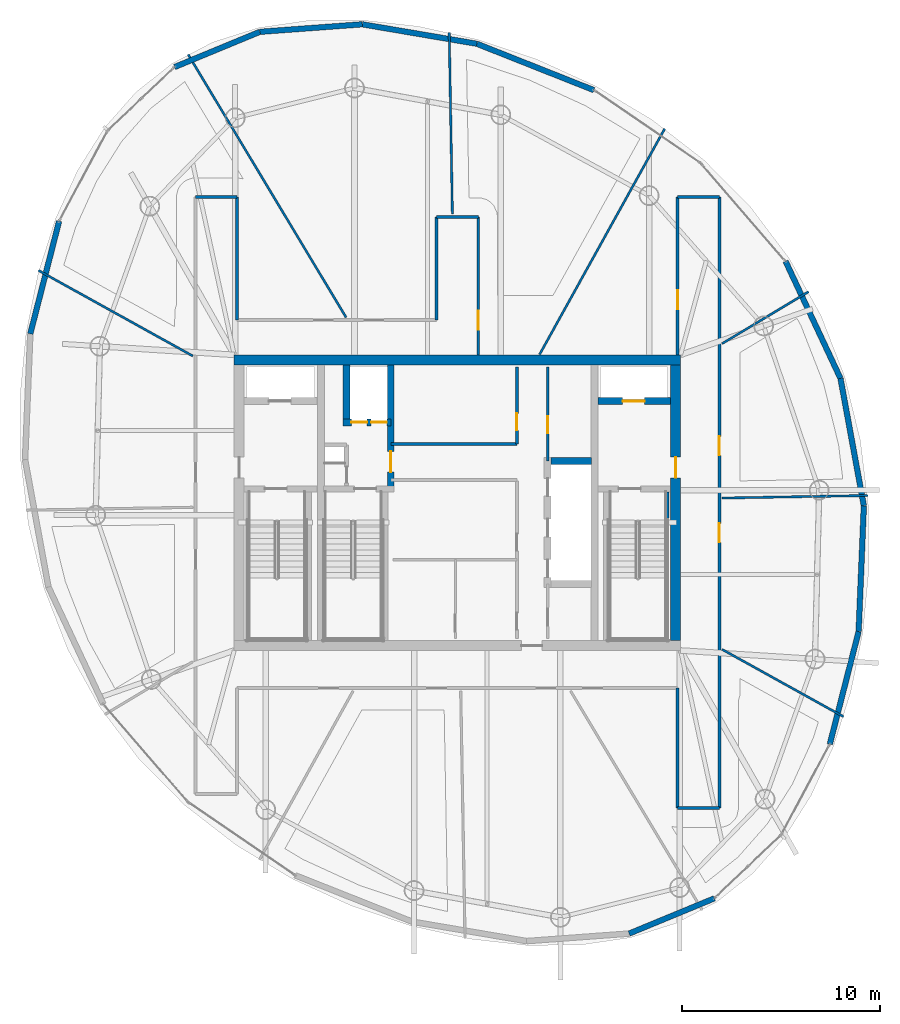
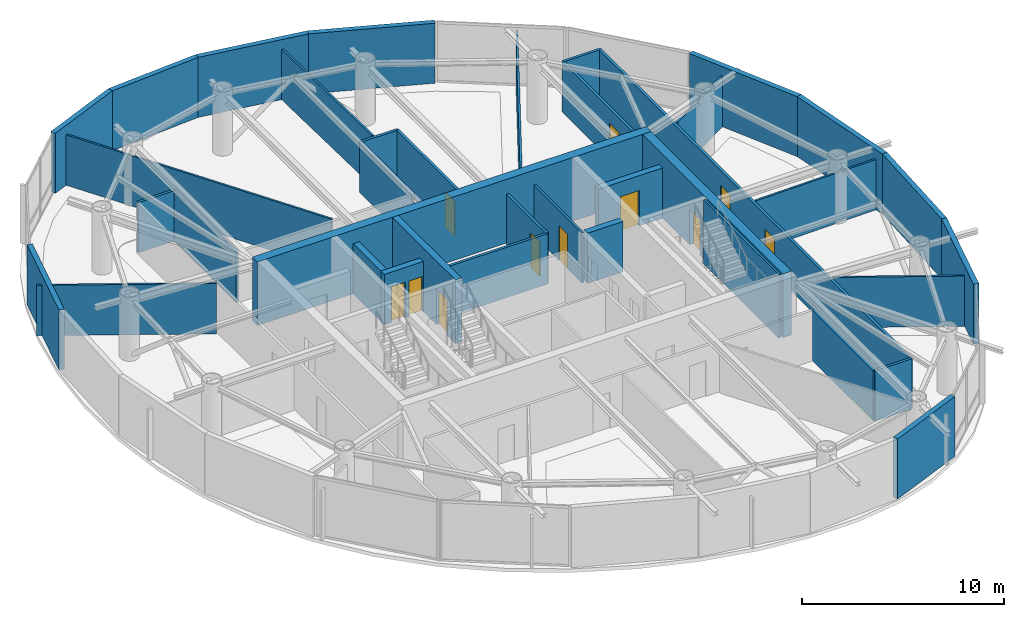
# One storey, part 12 of 16: 38 walls, 11 doors, 11 openings.
"""IFC4 building model written with IfcOpenShell, lengths in metres."""

from ifc_helpers import new_model, si_unit, direction, frame, frame_2d, origin, place, context, subcontext, project, spatial, rectangle, extrude, material, layer, layer_set, type_object, element, fill, save


model = new_model("IFC4")

# Units and contexts
model_context = context("Model", 3, precision=1e-05, world=origin(), true_north=direction((0.0, 1.0)))
body_context = subcontext(model_context, "Body", "Model", "MODEL_VIEW")
ifc_project = project(units=[si_unit("LENGTHUNIT", "METRE"), si_unit("AREAUNIT", "SQUARE_METRE"), si_unit("VOLUMEUNIT", "CUBIC_METRE"), si_unit("PLANEANGLEUNIT", "RADIAN"), si_unit("MASSUNIT", "GRAM", prefix="KILO")], contexts=[model_context])

# Site, building, storey
site_placement = place(None, origin())
site = spatial("IfcSite", under=ifc_project, at=site_placement, CompositionType="ELEMENT")
building_placement = place(site_placement, origin())
building = spatial("IfcBuilding", under=site, at=building_placement, Name="Bramvorn Convention Spire", CompositionType="ELEMENT")
storey_placement = place(building_placement, frame((0.0, 0.0, 261.300048828125)))
storey = spatial("IfcBuildingStorey", under=building, at=storey_placement, Name="L66", CompositionType="ELEMENT", Elevation=261.300048828125)

# Wall
ifc_material_1 = material(Name="Concrete C50/60", Category="concrete")
ifc_layer_1 = layer(ifc_material_1, 0.5)
ifc_layer_set_1 = layer_set([ifc_layer_1], Name="Concrete C50/60 - WL-CORE-500")
wall_type_1 = type_object("IfcWallType", Name="WL-CORE-500", PredefinedType="SHEAR", material=ifc_layer_set_1)
wall_1_placement = place(storey_placement, frame((26.75, 33.199951171875, 0.0), z_axis=(0.0, 0.0, 1.0), x_axis=(1.0, 0.0, 0.0)))
element("IfcWall", 1, at=wall_1_placement, inside=storey, type_object=wall_type_1, Name="L66 North RC core shear wall", PredefinedType="SHEAR", context=body_context, shape_type="SweptSolid", body=[
    extrude(rectangle(XDim=22.5, YDim=0.5, at=frame_2d((11.25, 0.0))), origin(), (0.0, 0.0, 1.0), 3.849853515625),
])

# Wall, opening, door
wall_2_placement = place(storey_placement, frame((49.0, 19.050048828125, 0.0), z_axis=(0.0, 0.0, 1.0), x_axis=(0.0, 1.0, 0.0)))
wall_2 = element("IfcWall", 2, at=wall_2_placement, inside=storey, type_object=wall_type_1, Name="L66 East RC core shear wall", PredefinedType="SHEAR", context=body_context, shape_type="SweptSolid", body=[
    extrude(rectangle(XDim=13.89990234375, YDim=0.5, at=frame_2d((6.949951171875, 0.0))), origin(), (0.0, 0.0, 1.0), 3.849853515625),
])
opening_1_placement = place(wall_2_placement, frame((8.199951171875, 0.0, 0.0)))
opening_1 = element("IfcOpeningElement", 3, at=opening_1_placement, cuts=wall_2, Name="Opening DL-105", PredefinedType="OPENING", context=body_context, shape_type="SweptSolid", body=[
    extrude(rectangle(XDim=1.050048828125, YDim=2.14990234375, at=frame_2d((0.52490234375, 1.074951171875))), frame((0.0, 0.260009765625, 0.0), z_axis=(0.0, -1.0, 0.0), x_axis=(1.0, 0.0, 0.0)), (0.0, 0.0, 1.0), 0.52001953125),
])
ifc_material_2 = material(Name="Smoke-Sealed Fire Lobby Timber-Core Door", Category="wood")
door_type_1 = type_object("IfcDoorType", Name="DR-LOBBY-1050", OperationType="NOTDEFINED", PredefinedType="DOOR", material=ifc_material_2)
door_1_placement = place(opening_1_placement, origin())
door_1 = element("IfcDoor", 4, at=door_1_placement, inside=storey, type_object=door_type_1, Name="L66 East Firefighting Lobby corridor door", OperationType="SINGLE_SWING_LEFT", OverallHeight=2.14990234375, OverallWidth=1.050048828125, PredefinedType="DOOR", context=body_context, shape_type="SweptSolid", body=[
    extrude(rectangle(XDim=1.050048828125, YDim=2.14990234375, at=frame_2d((0.52490234375, 1.074951171875))), frame((0.0, 0.02490234375, 0.0), z_axis=(0.0, -1.0, 0.0), x_axis=(1.0, 0.0, 0.0)), (0.0, 0.0, 1.0), 0.050048828125),
])
fill(opening_1, door_1)

ifc_layer_2 = layer(ifc_material_1, 0.35009765625)
ifc_layer_set_2 = layer_set([ifc_layer_2], Name="Concrete C50/60 - WL-CORE-INT-350")
wall_type_2 = type_object("IfcWallType", Name="WL-CORE-INT-350", PredefinedType="SHEAR", material=ifc_layer_set_2)
wall_3_placement = place(storey_placement, frame((45.080078125, 31.1201171875, 0.0), z_axis=(0.0, 0.0, 1.0), x_axis=(1.0, 0.0, 0.0)))
wall_3 = element("IfcWall", 5, at=wall_3_placement, inside=storey, type_object=wall_type_2, Name="L66 FE2 shaft front wall", PredefinedType="SHEAR", context=body_context, shape_type="SweptSolid", body=[
    extrude(rectangle(XDim=3.669921875, YDim=0.35009765625, at=frame_2d((1.8349609375, 0.0))), origin(), (0.0, 0.0, 1.0), 3.0400390625),
])
opening_2_placement = place(wall_3_placement, frame((1.25, 0.0, 0.0)))
opening_2 = element("IfcOpeningElement", 6, at=opening_2_placement, cuts=wall_3, Name="Opening LD-110", PredefinedType="OPENING", context=body_context, shape_type="SweptSolid", body=[
    extrude(rectangle(XDim=1.10009765625, YDim=2.14990234375, at=frame_2d((0.550048828125, 1.074951171875))), frame((0.0, 0.18505859375, 0.0), z_axis=(0.0, -1.0, 0.0), x_axis=(1.0, 0.0, 0.0)), (0.0, 0.0, 1.0), 0.3701171875),
])
ifc_material_3 = material(Name="Firefighting & Service Lift Sliding Landing Door", Category="steel")
door_type_2 = type_object("IfcDoorType", Name="DR-LIFT-LD-1100", OperationType="NOTDEFINED", PredefinedType="DOOR", material=ifc_material_3)
door_2_placement = place(opening_2_placement, origin())
door_2 = element("IfcDoor", 7, at=door_2_placement, inside=storey, type_object=door_type_2, Name="L66 Lift FE2 Sliding Landing Door", OperationType="SLIDING_TO_LEFT", OverallHeight=2.14990234375, OverallWidth=1.10009765625, PredefinedType="DOOR", context=body_context, shape_type="SweptSolid", body=[
    extrude(rectangle(XDim=1.10009765625, YDim=2.14990234375, at=frame_2d((0.550048828125, 1.074951171875))), frame((0.0, 0.02490234375, 0.0), z_axis=(0.0, -1.0, 0.0), x_axis=(1.0, 0.0, 0.0)), (0.0, 0.0, 1.0), 0.050048828125),
])
fill(opening_2, door_2)

wall_4_placement = place(storey_placement, frame((34.639892578125, 26.68994140625, 0.0), z_axis=(0.0, 0.0, 1.0), x_axis=(0.0, 1.0, 0.0)))
wall_4 = element("IfcWall", 8, at=wall_4_placement, inside=storey, type_object=wall_type_2, Name="L66 SV east core shaft wall", PredefinedType="SHEAR", context=body_context, shape_type="SweptSolid", body=[
    extrude(rectangle(XDim=6.260009765625, YDim=0.35009765625, at=frame_2d((3.1298828125, 0.0))), origin(), (0.0, 0.0, 1.0), 3.849853515625),
])
opening_3_placement = place(wall_4_placement, frame((0.85009765625, 0.0, 0.0)))
opening_3 = element("IfcOpeningElement", 9, at=opening_3_placement, cuts=wall_4, Name="Opening DL-105", PredefinedType="OPENING", context=body_context, shape_type="SweptSolid", body=[
    extrude(rectangle(XDim=1.050048828125, YDim=2.14990234375, at=frame_2d((0.52490234375, 1.074951171875))), frame((0.0, 0.18505859375, 0.0), z_axis=(0.0, -1.0, 0.0), x_axis=(1.0, 0.0, 0.0)), (0.0, 0.0, 1.0), 0.3701171875),
])
door_3_placement = place(opening_3_placement, origin())
door_3 = element("IfcDoor", 10, at=door_3_placement, inside=storey, type_object=door_type_1, Name="L66 Core cross-passage door", OperationType="SINGLE_SWING_RIGHT", OverallHeight=2.14990234375, OverallWidth=1.050048828125, PredefinedType="DOOR", context=body_context, shape_type="SweptSolid", body=[
    extrude(rectangle(XDim=1.050048828125, YDim=2.14990234375, at=frame_2d((0.52490234375, 1.074951171875))), frame((0.0, 0.02490234375, 0.0), z_axis=(0.0, -1.0, 0.0), x_axis=(1.0, 0.0, 0.0)), (0.0, 0.0, 1.0), 0.050048828125),
])
fill(opening_3, door_3)

# Wall, openings, doors
wall_5_placement = place(storey_placement, frame((32.22998046875, 30.050048828125, 0.0), z_axis=(0.0, 0.0, 1.0), x_axis=(1.0, 0.0, 0.0)))
wall_5 = element("IfcWall", 11, at=wall_5_placement, inside=storey, type_object=wall_type_2, Name="L66 SV1/SV2 shaft front wall", PredefinedType="SHEAR", context=body_context, shape_type="SweptSolid", body=[
    extrude(rectangle(XDim=2.409912109375, YDim=0.35009765625, at=frame_2d((1.205078125, 0.0))), origin(), (0.0, 0.0, 1.0), 3.0400390625),
])
opening_4_placement = place(wall_5_placement, frame((0.419921875, 0.0, 0.0)))
opening_4 = element("IfcOpeningElement", 12, at=opening_4_placement, cuts=wall_5, Name="Opening LD-080", PredefinedType="OPENING", context=body_context, shape_type="SweptSolid", body=[
    extrude(rectangle(XDim=0.800048828125, YDim=2.14990234375, at=frame_2d((0.39990234375, 1.074951171875))), frame((0.0, 0.18505859375, 0.0), z_axis=(0.0, -1.0, 0.0), x_axis=(1.0, 0.0, 0.0)), (0.0, 0.0, 1.0), 0.3701171875),
])
opening_5_placement = place(wall_5_placement, frame((1.419921875, 0.0, 0.0)))
opening_5 = element("IfcOpeningElement", 13, at=opening_5_placement, cuts=wall_5, Name="Opening LD-080", PredefinedType="OPENING", context=body_context, shape_type="SweptSolid", body=[
    extrude(rectangle(XDim=0.800048828125, YDim=2.14990234375, at=frame_2d((0.39990234375, 1.074951171875))), frame((0.0, 0.18505859375, 0.0), z_axis=(0.0, -1.0, 0.0), x_axis=(1.0, 0.0, 0.0)), (0.0, 0.0, 1.0), 0.3701171875),
])
ifc_material_4 = material(Name="Service Lift Bi-Parting Landing Door", Category="steel")
door_type_3 = type_object("IfcDoorType", Name="DR-LIFT-LD-800", OperationType="NOTDEFINED", PredefinedType="DOOR", material=ifc_material_4)
door_4_placement = place(opening_4_placement, origin())
door_4 = element("IfcDoor", 14, at=door_4_placement, inside=storey, type_object=door_type_3, Name="L66 Lift SV1 Sliding Landing Door", OperationType="SLIDING_TO_LEFT", OverallHeight=2.14990234375, OverallWidth=0.800048828125, PredefinedType="DOOR", context=body_context, shape_type="SweptSolid", body=[
    extrude(rectangle(XDim=0.800048828125, YDim=2.14990234375, at=frame_2d((0.39990234375, 1.074951171875))), frame((0.0, 0.02490234375, 0.0), z_axis=(0.0, -1.0, 0.0), x_axis=(1.0, 0.0, 0.0)), (0.0, 0.0, 1.0), 0.050048828125),
])
fill(opening_4, door_4)
door_5_placement = place(opening_5_placement, origin())
door_5 = element("IfcDoor", 15, at=door_5_placement, inside=storey, type_object=door_type_3, Name="L66 Lift SV2 Sliding Landing Door", OperationType="SLIDING_TO_LEFT", OverallHeight=2.14990234375, OverallWidth=0.800048828125, PredefinedType="DOOR", context=body_context, shape_type="SweptSolid", body=[
    extrude(rectangle(XDim=0.800048828125, YDim=2.14990234375, at=frame_2d((0.39990234375, 1.074951171875))), frame((0.0, 0.02490234375, 0.0), z_axis=(0.0, -1.0, 0.0), x_axis=(1.0, 0.0, 0.0)), (0.0, 0.0, 1.0), 0.050048828125),
])
fill(opening_5, door_5)

# Walls
wall_6_placement = place(storey_placement, frame((32.39990234375, 30.219970703125, 0.0), z_axis=(0.0, 0.0, 1.0), x_axis=(0.0, 1.0, 0.0)))
element("IfcWall", 16, at=wall_6_placement, inside=storey, type_object=wall_type_2, Name="L66 SV1 west hoistway wall", PredefinedType="SHEAR", context=body_context, shape_type="SweptSolid", body=[
    extrude(rectangle(XDim=2.72998046875, YDim=0.35009765625, at=frame_2d((1.364990234375, 0.0))), origin(), (0.0, 0.0, 1.0), 3.0400390625),
])
wall_7_placement = place(storey_placement, frame((42.719970703125, 28.10009765625, 0.0), z_axis=(0.0, 0.0, 1.0), x_axis=(1.0, 0.0, 0.0)))
element("IfcWall", 17, at=wall_7_placement, inside=storey, type_object=wall_type_2, Name="L66 High-rise lift bank north wall", PredefinedType="SHEAR", context=body_context, shape_type="SweptSolid", body=[
    extrude(rectangle(XDim=2.030029296875, YDim=0.35009765625, at=frame_2d((1.01513671875, 0.0))), origin(), (0.0, 0.0, 1.0), 3.0400390625),
])
ifc_material_5 = material(Name="Precast Concrete C40/50 with Bronze Terracotta Rainscreen", Category="masonry")
ifc_layer_3 = layer(ifc_material_5, 0.300048828125)
ifc_layer_set_3 = layer_set([ifc_layer_3], Name="Precast Concrete C40/50 with Bronze Terracotta Rainscreen - WL-EXT-BRONZE-300")
wall_type_3 = type_object("IfcWallType", Name="WL-EXT-BRONZE-300", PredefinedType="SOLIDWALL", material=ifc_layer_set_3)
wall_8_placement = place(storey_placement, frame((58.222412109375, 19.502197265625, 0.0), z_axis=(0.0, 0.0, 1.0), x_axis=(-0.247972381677, -0.968767102004, 0.0)))
element("IfcWall", 18, at=wall_8_placement, inside=storey, type_object=wall_type_3, Name="L66 expressed bronze Gothic lancet pier wall 03", PredefinedType="SOLIDWALL", context=body_context, shape_type="SweptSolid", body=[
    extrude(rectangle(XDim=5.860107421875, YDim=0.280029296875, at=frame_2d((2.93017578125, 0.0))), origin(), (0.0, 0.0, 1.0), 3.625),
])
wall_9_placement = place(storey_placement, frame((58.48583984375, 25.841796875, 0.0), z_axis=(0.0, 0.0, 1.0), x_axis=(-0.041516913296, -0.999137801262, 0.0)))
element("IfcWall", 19, at=wall_9_placement, inside=storey, type_object=wall_type_3, Name="L66 expressed bronze Gothic lancet pier wall 04", PredefinedType="SOLIDWALL", context=body_context, shape_type="SweptSolid", body=[
    extrude(rectangle(XDim=6.344970703125, YDim=0.280029296875, at=frame_2d((3.17236328125, 0.0))), origin(), (0.0, 0.0, 1.0), 3.625),
])
wall_10_placement = place(storey_placement, frame((57.30859375, 32.260986328125, 0.0), z_axis=(0.0, 0.0, 1.0), x_axis=(0.180386379847, -0.983595828562, 0.0)))
element("IfcWall", 20, at=wall_10_placement, inside=storey, type_object=wall_type_3, Name="L66 expressed bronze Gothic lancet pier wall 05", PredefinedType="SOLIDWALL", context=body_context, shape_type="SweptSolid", body=[
    extrude(rectangle(XDim=6.5263671875, YDim=0.280029296875, at=frame_2d((3.26318359375, 0.0))), origin(), (0.0, 0.0, 1.0), 3.625),
])
wall_11_placement = place(storey_placement, frame((54.537841796875, 38.170654296875, 0.0), z_axis=(0.0, 0.0, 1.0), x_axis=(0.424508624762, -0.905423893822, 0.0)))
element("IfcWall", 21, at=wall_11_placement, inside=storey, type_object=wall_type_3, Name="L66 expressed bronze Gothic lancet pier wall 06", PredefinedType="SOLIDWALL", context=body_context, shape_type="SweptSolid", body=[
    extrude(rectangle(XDim=6.52685546875, YDim=0.280029296875, at=frame_2d((3.263427734375, 0.0))), origin(), (0.0, 0.0, 1.0), 3.625),
])
wall_12_placement = place(storey_placement, frame((38.98193359375, 49.1298828125, 0.0), z_axis=(0.0, 0.0, 1.0), x_axis=(0.929631768462, -0.36848985748, 0.0)))
element("IfcWall", 22, at=wall_12_placement, inside=storey, type_object=wall_type_3, Name="L66 expressed bronze Gothic lancet pier wall 09", PredefinedType="SOLIDWALL", context=body_context, shape_type="SweptSolid", body=[
    extrude(rectangle(XDim=6.34521484375, YDim=0.280029296875, at=frame_2d((3.172607421875, 0.0))), origin(), (0.0, 0.0, 1.0), 3.625),
])
wall_13_placement = place(storey_placement, frame((33.20458984375, 50.111572265625, 0.0), z_axis=(0.0, 0.0, 1.0), x_axis=(0.985868784633, -0.167519370479, 0.0)))
element("IfcWall", 23, at=wall_13_placement, inside=storey, type_object=wall_type_3, Name="L66 expressed bronze Gothic lancet pier wall 10", PredefinedType="SOLIDWALL", context=body_context, shape_type="SweptSolid", body=[
    extrude(rectangle(XDim=5.860107421875, YDim=0.280029296875, at=frame_2d((2.93017578125, 0.0))), origin(), (0.0, 0.0, 1.0), 3.625),
])
wall_14_placement = place(storey_placement, frame((28.039306640625, 49.732666015625, 0.0), z_axis=(0.0, 0.0, 1.0), x_axis=(0.99732023432, 0.073159758173, 0.0)))
element("IfcWall", 24, at=wall_14_placement, inside=storey, type_object=wall_type_3, Name="L66 expressed bronze Gothic lancet pier wall 11", PredefinedType="SOLIDWALL", context=body_context, shape_type="SweptSolid", body=[
    extrude(rectangle(XDim=5.17919921875, YDim=0.280029296875, at=frame_2d((2.589599609375, 0.0))), origin(), (0.0, 0.0, 1.0), 3.625),
])
wall_15_placement = place(storey_placement, frame((23.741455078125, 47.956298828125, 0.0), z_axis=(0.0, 0.0, 1.0), x_axis=(0.924172810094, 0.381974628848, 0.0)))
element("IfcWall", 25, at=wall_15_placement, inside=storey, type_object=wall_type_3, Name="L66 expressed bronze Gothic lancet pier wall 12", PredefinedType="SOLIDWALL", context=body_context, shape_type="SweptSolid", body=[
    extrude(rectangle(XDim=4.650390625, YDim=0.280029296875, at=frame_2d((2.3251953125, 0.0))), origin(), (0.0, 0.0, 1.0), 3.625),
])
wall_16_placement = place(storey_placement, frame((16.470458984375, 34.5107421875, 0.0), z_axis=(0.0, 0.0, 1.0), x_axis=(0.247972381677, 0.968767102004, 0.0)))
element("IfcWall", 26, at=wall_16_placement, inside=storey, type_object=wall_type_3, Name="L66 expressed bronze Gothic lancet pier wall 15", PredefinedType="SOLIDWALL", context=body_context, shape_type="SweptSolid", body=[
    extrude(rectangle(XDim=5.860107421875, YDim=0.280029296875, at=frame_2d((2.93017578125, 0.0))), origin(), (0.0, 0.0, 1.0), 3.625),
])
wall_17_placement = place(storey_placement, frame((50.951416015625, 6.056396484375, 0.0), z_axis=(0.0, 0.0, 1.0), x_axis=(-0.924191341686, -0.381929789296, 0.0)))
element("IfcWall", 27, at=wall_17_placement, inside=storey, type_object=wall_type_3, Name="L66 expressed bronze Gothic lancet pier wall 24", PredefinedType="SOLIDWALL", context=body_context, shape_type="SweptSolid", body=[
    extrude(rectangle(XDim=4.650390625, YDim=0.280029296875, at=frame_2d((2.3251953125, 0.0))), origin(), (0.0, 0.0, 1.0), 3.625),
])
ifc_material_6 = material(Name="Lightweight En-Suite & Wet-Wall Partition", Category="gypsum")
ifc_layer_4 = layer(ifc_material_6, 0.110107421875)
ifc_layer_set_4 = layer_set([ifc_layer_4], Name="Lightweight En-Suite & Wet-Wall Partition - WL-PART-110")
wall_type_4 = type_object("IfcWallType", Name="WL-PART-110", PredefinedType="PARTITIONING", material=ifc_layer_set_4)
wall_18_placement = place(storey_placement, frame((51.340087890625, 26.23291015625, 0.0), z_axis=(0.0, 0.0, 1.0), x_axis=(0.999847652319, 0.017454860422, 0.0)))
element("IfcWall", 28, at=wall_18_placement, inside=storey, type_object=wall_type_4, Name="L66 Tenant suite partition 1", PredefinedType="PARTITIONING", context=body_context, shape_type="SweptSolid", body=[
    extrude(rectangle(XDim=7.34326171875, YDim=0.110107421875, at=frame_2d((3.671630859375, 0.0))), origin(), (0.0, 0.0, 1.0), 3.0400390625),
])
wall_19_placement = place(storey_placement, frame((51.340087890625, 34.015380859375, 0.0), z_axis=(0.0, 0.0, 1.0), x_axis=(0.857153776183, 0.51506058282, 0.0)))
element("IfcWall", 29, at=wall_19_placement, inside=storey, type_object=wall_type_4, Name="L66 Tenant suite partition 2", PredefinedType="PARTITIONING", context=body_context, shape_type="SweptSolid", body=[
    extrude(rectangle(XDim=5.084228515625, YDim=0.110107421875, at=frame_2d((2.5419921875, 0.0))), origin(), (0.0, 0.0, 1.0), 3.0400390625),
])
wall_20_placement = place(storey_placement, frame((42.140625, 33.469970703125, 0.0), z_axis=(0.0, 0.0, 1.0), x_axis=(0.484812626369, 0.874618040812, 0.0)))
element("IfcWall", 30, at=wall_20_placement, inside=storey, type_object=wall_type_4, Name="L66 Tenant suite partition 3", PredefinedType="PARTITIONING", context=body_context, shape_type="SweptSolid", body=[
    extrude(rectangle(XDim=13.010498046875, YDim=0.110107421875, at=frame_2d((6.50537109375, 0.0))), origin(), (0.0, 0.0, 1.0), 3.0400390625),
])
wall_21_placement = place(storey_placement, frame((37.74609375, 40.5400390625, 0.0), z_axis=(0.0, 0.0, 1.0), x_axis=(-0.01743409501, 0.999848014616, 0.0)))
element("IfcWall", 31, at=wall_21_placement, inside=storey, type_object=wall_type_4, Name="L66 Tenant suite partition 4", PredefinedType="PARTITIONING", context=body_context, shape_type="SweptSolid", body=[
    extrude(rectangle(XDim=9.158447265625, YDim=0.110107421875, at=frame_2d((4.5791015625, 0.0))), origin(), (0.0, 0.0, 1.0), 3.0400390625),
])
wall_22_placement = place(storey_placement, frame((32.387939453125, 35.340087890625, 0.0), z_axis=(0.0, 0.0, 1.0), x_axis=(-0.515043577983, 0.857163994098, 0.0)))
element("IfcWall", 32, at=wall_22_placement, inside=storey, type_object=wall_type_4, Name="L66 Tenant suite partition 5", PredefinedType="PARTITIONING", context=body_context, shape_type="SweptSolid", body=[
    extrude(rectangle(XDim=15.4638671875, YDim=0.110107421875, at=frame_2d((7.73193359375, 0.0))), origin(), (0.0, 0.0, 1.0), 3.0400390625),
])
wall_23_placement = place(storey_placement, frame((24.659912109375, 33.39453125, 0.0), z_axis=(0.0, 0.0, 1.0), x_axis=(-0.874626832341, 0.48479676582, 0.0)))
element("IfcWall", 33, at=wall_23_placement, inside=storey, type_object=wall_type_4, Name="L66 Tenant suite partition 6", PredefinedType="PARTITIONING", context=body_context, shape_type="SweptSolid", body=[
    extrude(rectangle(XDim=8.89501953125, YDim=0.110107421875, at=frame_2d((4.447509765625, 0.0))), origin(), (0.0, 0.0, 1.0), 3.0400390625),
])
wall_24_placement = place(storey_placement, frame((51.340087890625, 18.60546875, 0.0), z_axis=(0.0, 0.0, 1.0), x_axis=(0.874618985344, -0.484810922398, 0.0)))
element("IfcWall", 34, at=wall_24_placement, inside=storey, type_object=wall_type_4, Name="L66 Tenant suite partition 12", PredefinedType="PARTITIONING", context=body_context, shape_type="SweptSolid", body=[
    extrude(rectangle(XDim=7.002685546875, YDim=0.110107421875, at=frame_2d((3.50146484375, 0.0))), origin(), (0.0, 0.0, 1.0), 3.0400390625),
])

# Wall, opening, door
ifc_material_7 = material(Name="Metal-Stud Demountable Office Partition", Category="gypsum")
ifc_layer_5 = layer(ifc_material_7, 0.1298828125)
ifc_layer_set_5 = layer_set([ifc_layer_5], Name="Metal-Stud Demountable Office Partition - WL-PART-130")
wall_type_5 = type_object("IfcWallType", Name="WL-PART-130", PredefinedType="PARTITIONING", material=ifc_layer_set_5)
wall_25_placement = place(storey_placement, frame((42.550048828125, 28.10009765625, 0.0), z_axis=(0.0, 0.0, 1.0), x_axis=(0.0, 1.0, 0.0)))
wall_25 = element("IfcWall", 35, at=wall_25_placement, inside=storey, type_object=wall_type_5, Name="L66 KA NE IDF wall", PredefinedType="PARTITIONING", context=body_context, shape_type="SweptSolid", body=[
    extrude(rectangle(XDim=4.75, YDim=0.1298828125, at=frame_2d((2.375, 0.0))), origin(), (0.0, 0.0, 1.0), 3.0400390625),
])
opening_6_placement = place(wall_25_placement, frame((1.39990234375, 0.0, 0.0)))
opening_6 = element("IfcOpeningElement", 36, at=opening_6_placement, cuts=wall_25, Name="Opening DC-085", PredefinedType="OPENING", context=body_context, shape_type="SweptSolid", body=[
    extrude(rectangle(XDim=0.85009765625, YDim=2.10009765625, at=frame_2d((0.425048828125, 1.050048828125))), frame((0.0, 0.074951171875, 0.0), z_axis=(0.0, -1.0, 0.0), x_axis=(1.0, 0.0, 0.0)), (0.0, 0.0, 1.0), 0.14990234375),
])
ifc_material_8 = material(Name="Fire-Rated Core Washroom & IDF Door", Category="wood")
door_type_4 = type_object("IfcDoorType", Name="DR-CORE-850", OperationType="NOTDEFINED", PredefinedType="DOOR", material=ifc_material_8)
door_6_placement = place(opening_6_placement, origin())
door_6 = element("IfcDoor", 37, at=door_6_placement, inside=storey, type_object=door_type_4, Name="L66 Core IDF & BMS Room door", OperationType="SINGLE_SWING_LEFT", OverallHeight=2.10009765625, OverallWidth=0.85009765625, PredefinedType="DOOR", context=body_context, shape_type="SweptSolid", body=[
    extrude(rectangle(XDim=0.85009765625, YDim=2.10009765625, at=frame_2d((0.425048828125, 1.050048828125))), frame((0.0, 0.02490234375, 0.0), z_axis=(0.0, -1.0, 0.0), x_axis=(1.0, 0.0, 0.0)), (0.0, 0.0, 1.0), 0.050048828125),
])
fill(opening_6, door_6)

# Wall
ifc_material_9 = material(Name="Acoustic Metal-Stud Tenant/Corridor Partition", Category="gypsum")
ifc_layer_6 = layer(ifc_material_9, 0.14990234375)
ifc_layer_set_6 = layer_set([ifc_layer_6], Name="Acoustic Metal-Stud Tenant/Corridor Partition - WL-PART-150")
wall_type_6 = type_object("IfcWallType", Name="WL-PART-150", PredefinedType="PARTITIONING", material=ifc_layer_set_6)
wall_26_placement = place(storey_placement, frame((34.639892578125, 28.949951171875, 0.0), z_axis=(0.0, 0.0, 1.0), x_axis=(1.0, 0.0, 0.0)))
element("IfcWall", 38, at=wall_26_placement, inside=storey, type_object=wall_type_6, Name="L66 Cross-core passage north wall", PredefinedType="PARTITIONING", context=body_context, shape_type="SweptSolid", body=[
    extrude(rectangle(XDim=6.360107421875, YDim=0.14990234375, at=frame_2d((3.18017578125, 0.0))), origin(), (0.0, 0.0, 1.0), 3.0400390625),
])

# Wall, opening, door
wall_27_placement = place(storey_placement, frame((41.0, 28.949951171875, 0.0), z_axis=(0.0, 0.0, 1.0), x_axis=(0.0, 1.0, 0.0)))
wall_27 = element("IfcWall", 39, at=wall_27_placement, inside=storey, type_object=wall_type_6, Name="L66 Freed north shaft room wall", PredefinedType="PARTITIONING", context=body_context, shape_type="SweptSolid", body=[
    extrude(rectangle(XDim=3.900146484375, YDim=0.14990234375, at=frame_2d((1.9501953125, 0.0))), origin(), (0.0, 0.0, 1.0), 3.0400390625),
])
opening_7_placement = place(wall_27_placement, frame((0.699951171875, 0.0, 0.0)))
opening_7 = element("IfcOpeningElement", 40, at=opening_7_placement, cuts=wall_27, Name="Opening DC-085", PredefinedType="OPENING", context=body_context, shape_type="SweptSolid", body=[
    extrude(rectangle(XDim=0.85009765625, YDim=2.10009765625, at=frame_2d((0.425048828125, 1.050048828125))), frame((0.0, 0.0849609375, 0.0), z_axis=(0.0, -1.0, 0.0), x_axis=(1.0, 0.0, 0.0)), (0.0, 0.0, 1.0), 0.169921875),
])
door_7_placement = place(opening_7_placement, origin())
door_7 = element("IfcDoor", 41, at=door_7_placement, inside=storey, type_object=door_type_4, Name="L66 North core archive door", OperationType="SINGLE_SWING_LEFT", OverallHeight=2.10009765625, OverallWidth=0.85009765625, PredefinedType="DOOR", context=body_context, shape_type="SweptSolid", body=[
    extrude(rectangle(XDim=0.85009765625, YDim=2.10009765625, at=frame_2d((0.425048828125, 1.050048828125))), frame((0.0, 0.02490234375, 0.0), z_axis=(0.0, -1.0, 0.0), x_axis=(1.0, 0.0, 0.0)), (0.0, 0.0, 1.0), 0.050048828125),
])
fill(opening_7, door_7)

# Walls
wall_28_placement = place(storey_placement, frame((26.89990234375, 35.199951171875, 0.0), z_axis=(0.0, 0.0, 1.0), x_axis=(0.0, 1.0, 0.0)))
element("IfcWall", 42, at=wall_28_placement, inside=storey, type_object=wall_type_6, Name="L66 West gallery NE wall", PredefinedType="PARTITIONING", context=body_context, shape_type="SweptSolid", body=[
    extrude(rectangle(XDim=6.199951171875, YDim=0.14990234375, at=frame_2d((3.10009765625, 0.0))), origin(), (0.0, 0.0, 1.0), 3.0400390625),
])
wall_29_placement = place(storey_placement, frame((24.800048828125, 41.39990234375, 0.0), z_axis=(0.0, 0.0, 1.0), x_axis=(1.0, 0.0, 0.0)))
element("IfcWall", 43, at=wall_29_placement, inside=storey, type_object=wall_type_6, Name="L66 West gallery north end", PredefinedType="PARTITIONING", context=body_context, shape_type="SweptSolid", body=[
    extrude(rectangle(XDim=2.099853515625, YDim=0.14990234375, at=frame_2d((1.0498046875, 0.0))), origin(), (0.0, 0.0, 1.0), 3.0400390625),
])

# Wall, openings, doors
wall_30_placement = place(storey_placement, frame((51.199951171875, 10.60009765625, 0.0), z_axis=(0.0, 0.0, 1.0), x_axis=(0.0, 1.0, 0.0)))
wall_30 = element("IfcWall", 44, at=wall_30_placement, inside=storey, type_object=wall_type_6, Name="L66 East N-S gallery outer wall", PredefinedType="PARTITIONING", context=body_context, shape_type="SweptSolid", body=[
    extrude(rectangle(XDim=30.7998046875, YDim=0.14990234375, at=frame_2d((15.39990234375, 0.0))), origin(), (0.0, 0.0, 1.0), 3.0400390625),
])
opening_8_placement = place(wall_30_placement, frame((17.7900390625, 0.0, 0.0)))
opening_8 = element("IfcOpeningElement", 45, at=opening_8_placement, cuts=wall_30, Name="Opening DH-095", PredefinedType="OPENING", context=body_context, shape_type="SweptSolid", body=[
    extrude(rectangle(XDim=0.949951171875, YDim=2.14990234375, at=frame_2d((0.47509765625, 1.074951171875))), frame((0.0, 0.0849609375, 0.0), z_axis=(0.0, -1.0, 0.0), x_axis=(1.0, 0.0, 0.0)), (0.0, 0.0, 1.0), 0.169921875),
])
opening_9_placement = place(wall_30_placement, frame((13.40087890625, 0.0, 0.0)))
opening_9 = element("IfcOpeningElement", 46, at=opening_9_placement, cuts=wall_30, Name="Opening DH-095", PredefinedType="OPENING", context=body_context, shape_type="SweptSolid", body=[
    extrude(rectangle(XDim=0.949951171875, YDim=2.14990234375, at=frame_2d((0.47509765625, 1.074951171875))), frame((0.0, 0.0849609375, 0.0), z_axis=(0.0, -1.0, 0.0), x_axis=(1.0, 0.0, 0.0)), (0.0, 0.0, 1.0), 0.169921875),
])
ifc_material_10 = material(Name="Solid-Core Acoustic Guestroom Entry Door", Category="wood")
door_type_5 = type_object("IfcDoorType", Name="DR-HOTEL-950", OperationType="NOTDEFINED", PredefinedType="DOOR", material=ifc_material_10)
door_8_placement = place(opening_8_placement, origin())
door_8 = element("IfcDoor", 47, at=door_8_placement, inside=storey, type_object=door_type_5, Name="L66 Partner Office Chamber 1 1 door", OperationType="SINGLE_SWING_LEFT", OverallHeight=2.14990234375, OverallWidth=0.949951171875, PredefinedType="DOOR", context=body_context, shape_type="SweptSolid", body=[
    extrude(rectangle(XDim=0.949951171875, YDim=2.14990234375, at=frame_2d((0.47509765625, 1.074951171875))), frame((0.0, 0.02490234375, 0.0), z_axis=(0.0, -1.0, 0.0), x_axis=(1.0, 0.0, 0.0)), (0.0, 0.0, 1.0), 0.050048828125),
])
fill(opening_8, door_8)
door_9_placement = place(opening_9_placement, origin())
door_9 = element("IfcDoor", 48, at=door_9_placement, inside=storey, type_object=door_type_5, Name="L66 Partner Office Chamber 1 12 door", OperationType="SINGLE_SWING_LEFT", OverallHeight=2.14990234375, OverallWidth=0.949951171875, PredefinedType="DOOR", context=body_context, shape_type="SweptSolid", body=[
    extrude(rectangle(XDim=0.949951171875, YDim=2.14990234375, at=frame_2d((0.47509765625, 1.074951171875))), frame((0.0, 0.02490234375, 0.0), z_axis=(0.0, -1.0, 0.0), x_axis=(1.0, 0.0, 0.0)), (0.0, 0.0, 1.0), 0.050048828125),
])
fill(opening_9, door_9)

# Wall
wall_31_placement = place(storey_placement, frame((49.10009765625, 10.60009765625, 0.0), z_axis=(0.0, 0.0, 1.0), x_axis=(0.0, 1.0, 0.0)))
element("IfcWall", 49, at=wall_31_placement, inside=storey, type_object=wall_type_6, Name="L66 East gallery SW wall", PredefinedType="PARTITIONING", context=body_context, shape_type="SweptSolid", body=[
    extrude(rectangle(XDim=6.0498046875, YDim=0.14990234375, at=frame_2d((3.02490234375, 0.0))), origin(), (0.0, 0.0, 1.0), 3.0400390625),
])

# Wall, opening, door
wall_32_placement = place(storey_placement, frame((49.10009765625, 33.449951171875, 0.0), z_axis=(0.0, 0.0, 1.0), x_axis=(0.0, 1.0, 0.0)))
wall_32 = element("IfcWall", 50, at=wall_32_placement, inside=storey, type_object=wall_type_6, Name="L66 East gallery NW wall", PredefinedType="PARTITIONING", context=body_context, shape_type="SweptSolid", body=[
    extrude(rectangle(XDim=7.949951171875, YDim=0.14990234375, at=frame_2d((3.97509765625, 0.0))), origin(), (0.0, 0.0, 1.0), 3.0400390625),
])
opening_10_placement = place(wall_32_placement, frame((2.3076171875, 0.0, 0.0)))
opening_10 = element("IfcOpeningElement", 51, at=opening_10_placement, cuts=wall_32, Name="Opening DH-095", PredefinedType="OPENING", context=body_context, shape_type="SweptSolid", body=[
    extrude(rectangle(XDim=0.949951171875, YDim=2.14990234375, at=frame_2d((0.47509765625, 1.074951171875))), frame((0.0, 0.0849609375, 0.0), z_axis=(0.0, -1.0, 0.0), x_axis=(1.0, 0.0, 0.0)), (0.0, 0.0, 1.0), 0.169921875),
])
door_10_placement = place(opening_10_placement, origin())
door_10 = element("IfcDoor", 52, at=door_10_placement, inside=storey, type_object=door_type_5, Name="L66 Partner Office Chamber 2 2 door", OperationType="SINGLE_SWING_RIGHT", OverallHeight=2.14990234375, OverallWidth=0.949951171875, PredefinedType="DOOR", context=body_context, shape_type="SweptSolid", body=[
    extrude(rectangle(XDim=0.949951171875, YDim=2.14990234375, at=frame_2d((0.47509765625, 1.074951171875))), frame((0.0, 0.02490234375, 0.0), z_axis=(0.0, -1.0, 0.0), x_axis=(1.0, 0.0, 0.0)), (0.0, 0.0, 1.0), 0.050048828125),
])
fill(opening_10, door_10)

# Walls
for number, where, z_axis, x_axis, name in (
    (53, (49.10009765625, 10.60009765625, 0.0), (0.0, 0.0, 1.0), (1.0, 0.0, 0.0), "L66 East gallery south end"),
    (54, (49.10009765625, 41.39990234375, 0.0), (0.0, 0.0, 1.0), (1.0, 0.0, 0.0), "L66 East gallery north end"),
):
    element("IfcWall", number, at=place(storey_placement, frame(where, z_axis=z_axis, x_axis=x_axis)), inside=storey, type_object=wall_type_6, Name=name, PredefinedType="PARTITIONING", context=body_context, shape_type="SweptSolid", body=[
        extrude(rectangle(XDim=2.099853515625, YDim=0.14990234375, at=frame_2d((1.0498046875, 0.0))), origin(), (0.0, 0.0, 1.0), 3.0400390625),
    ])
wall_33_placement = place(storey_placement, frame((36.949951171875, 35.199951171875, 0.0), z_axis=(0.0, 0.0, 1.0), x_axis=(0.0, 1.0, 0.0)))
element("IfcWall", 55, at=wall_33_placement, inside=storey, type_object=wall_type_6, Name="L66 North spur west wall", PredefinedType="PARTITIONING", context=body_context, shape_type="SweptSolid", body=[
    extrude(rectangle(XDim=5.199951171875, YDim=0.14990234375, at=frame_2d((2.60009765625, 0.0))), origin(), (0.0, 0.0, 1.0), 3.0400390625),
])

# Wall, opening, door
wall_34_placement = place(storey_placement, frame((39.050048828125, 33.449951171875, 0.0), z_axis=(0.0, 0.0, 1.0), x_axis=(0.0, 1.0, 0.0)))
wall_34 = element("IfcWall", 56, at=wall_34_placement, inside=storey, type_object=wall_type_6, Name="L66 North spur east wall", PredefinedType="PARTITIONING", context=body_context, shape_type="SweptSolid", body=[
    extrude(rectangle(XDim=6.949951171875, YDim=0.14990234375, at=frame_2d((3.47509765625, 0.0))), origin(), (0.0, 0.0, 1.0), 3.0400390625),
])
opening_11_placement = place(wall_34_placement, frame((1.262451171875, 0.0, 0.0)))
opening_11 = element("IfcOpeningElement", 57, at=opening_11_placement, cuts=wall_34, Name="Opening DH-095", PredefinedType="OPENING", context=body_context, shape_type="SweptSolid", body=[
    extrude(rectangle(XDim=0.949951171875, YDim=2.14990234375, at=frame_2d((0.47509765625, 1.074951171875))), frame((0.0, 0.0849609375, 0.0), z_axis=(0.0, -1.0, 0.0), x_axis=(1.0, 0.0, 0.0)), (0.0, 0.0, 1.0), 0.169921875),
])
door_11_placement = place(opening_11_placement, origin())
door_11 = element("IfcDoor", 58, at=door_11_placement, inside=storey, type_object=door_type_5, Name="L66 Partner Office Chamber 3 3 door", OperationType="SINGLE_SWING_RIGHT", OverallHeight=2.14990234375, OverallWidth=0.949951171875, PredefinedType="DOOR", context=body_context, shape_type="SweptSolid", body=[
    extrude(rectangle(XDim=0.949951171875, YDim=2.14990234375, at=frame_2d((0.47509765625, 1.074951171875))), frame((0.0, 0.02490234375, 0.0), z_axis=(0.0, -1.0, 0.0), x_axis=(1.0, 0.0, 0.0)), (0.0, 0.0, 1.0), 0.050048828125),
])
fill(opening_11, door_11)

# Walls
wall_35_placement = place(storey_placement, frame((36.949951171875, 40.39990234375, 0.0), z_axis=(0.0, 0.0, 1.0), x_axis=(1.0, 0.0, 0.0)))
element("IfcWall", 59, at=wall_35_placement, inside=storey, type_object=wall_type_6, Name="L66 North spur end wall", PredefinedType="PARTITIONING", context=body_context, shape_type="SweptSolid", body=[
    extrude(rectangle(XDim=2.10009765625, YDim=0.14990234375, at=frame_2d((1.050048828125, 0.0))), origin(), (0.0, 0.0, 1.0), 3.0400390625),
])
ifc_layer_7 = layer(ifc_material_1, 0.1201171875)
ifc_layer_set_7 = layer_set([ifc_layer_7], Name="Concrete C50/60 - WL-STAIR-RC-120")
wall_type_7 = type_object("IfcWallType", Name="WL-STAIR-RC-120", PredefinedType="SHEAR", material=ifc_layer_set_7)
wall_36_placement = place(storey_placement, frame((48.60498046875, 19.10009765625, 0.0), z_axis=(0.0, 0.0, 1.0), x_axis=(0.0, 1.0, 0.0)))
element("IfcWall", 60, at=wall_36_placement, inside=storey, type_object=wall_type_7, Name="L66 ST2 east bearing shear wall", PredefinedType="SHEAR", context=body_context, shape_type="SweptSolid", body=[
    extrude(rectangle(XDim=7.449951171875, YDim=0.1201171875, at=frame_2d((3.72509765625, 0.0))), origin(), (0.0, 0.0, 1.0), 3.849853515625),
])

save(model, "model.ifc")
